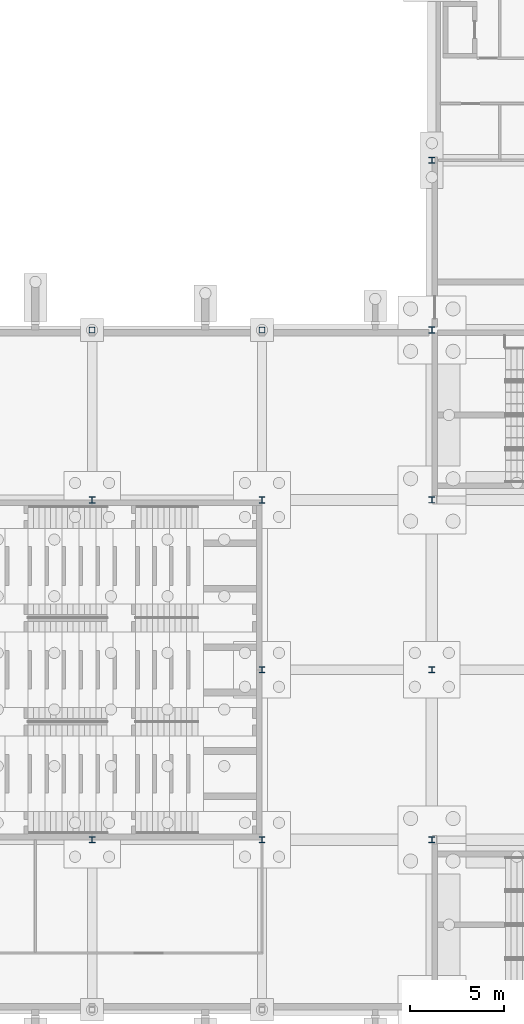
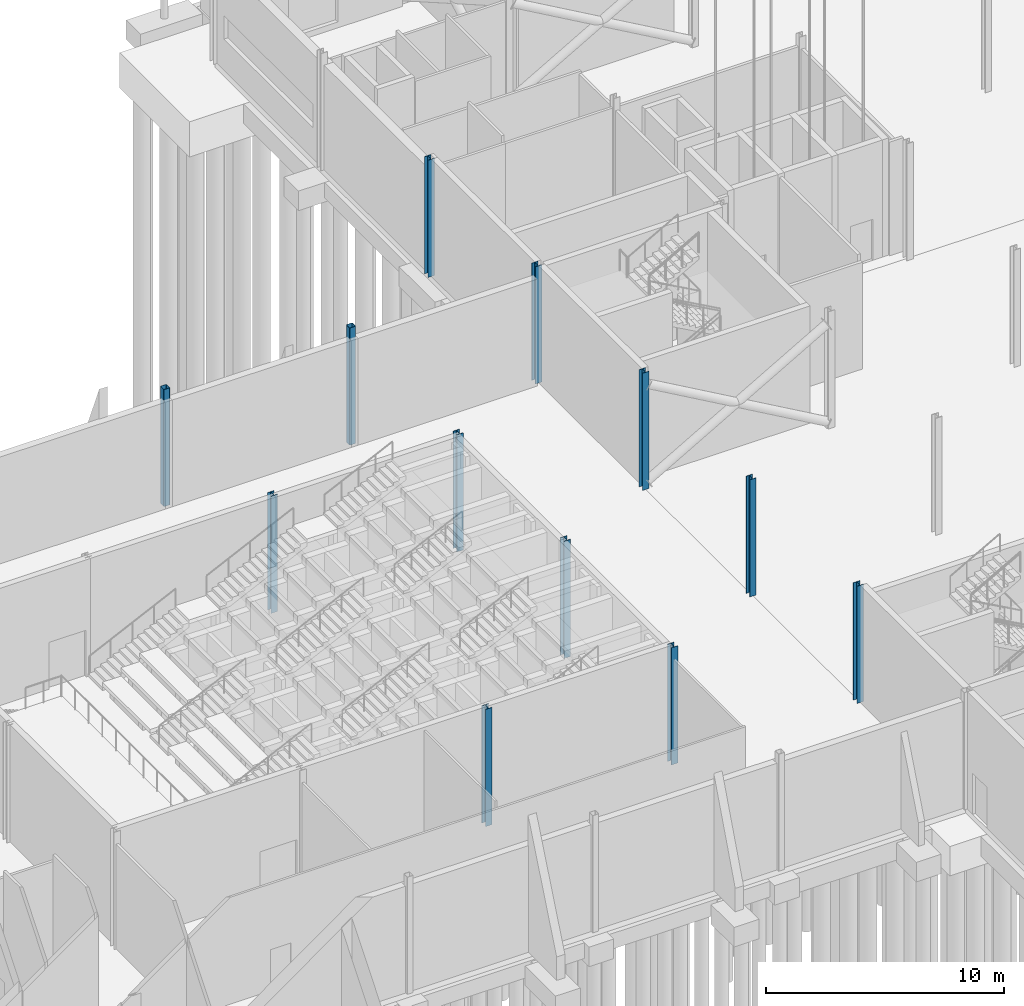
# One storey, part 25 of 139: 12 columns.
"""IFC4 building model written with IfcOpenShell, lengths in metres."""

from ifc_helpers import new_model, si_unit, direction, frame, origin, origin_2d, place, context, subcontext, project, spatial, hollow_rectangle, i_section, extrude, material, material_profile, profile_set, type_object, element, save


model = new_model("IFC4")

# Units and contexts
model_context = context("Model", 3, precision=1e-05, world=origin(), true_north=direction((0.0, 1.0)))
body_context = subcontext(model_context, "Body", "Model", "MODEL_VIEW")
ifc_project = project(units=[si_unit("LENGTHUNIT", "METRE"), si_unit("AREAUNIT", "SQUARE_METRE"), si_unit("VOLUMEUNIT", "CUBIC_METRE"), si_unit("PLANEANGLEUNIT", "RADIAN"), si_unit("MASSUNIT", "GRAM", prefix="KILO")], contexts=[model_context])

# Site, building, storey
site_placement = place(None, origin())
site = spatial("IfcSite", under=ifc_project, at=site_placement, CompositionType="ELEMENT")
building_placement = place(site_placement, origin())
building = spatial("IfcBuilding", under=site, at=building_placement, Name="Shorebreak Coast Museum", CompositionType="ELEMENT")
storey_placement = place(building_placement, origin())
storey = spatial("IfcBuildingStorey", under=building, at=storey_placement, Name="L00", CompositionType="ELEMENT", Elevation=0.0)

# Columns
ifc_material_1 = material(Name="Steel Grade C450L0", Category="steel")
ifc_material_profile_1 = material_profile(ifc_material_1, hollow_rectangle(XDim=0.300048828125, YDim=0.300048828125, WallThickness=0.012451171875, InnerFilletRadius=0.018798828125, OuterFilletRadius=0.03125, at=origin_2d()), Name="300x300x12.5 SHS")
ifc_profile_set_1 = profile_set([ifc_material_profile_1], Name="Steel Grade C450L0")
column_type_1 = type_object("IfcColumnType", Name="Column 300x300x12.5 SHS", PredefinedType="COLUMN", material=ifc_profile_set_1)
for number, where, z_axis, x_axis, name in (
    (1, (36.0, 90.0, 0.0), (0.0, 0.0, 1.0), (1.0, 0.0, 0.0), "Column L00 5L"),
    (2, (45.0, 90.0, 0.0), (0.0, 0.0, 1.0), (1.0, 0.0, 0.0), "Column L00 6L"),
):
    element("IfcColumn", number, at=place(storey_placement, frame(where, z_axis=z_axis, x_axis=x_axis)), inside=storey, type_object=column_type_1, Name=name, PredefinedType="COLUMN", context=body_context, shape_type="SweptSolid", body=[
        extrude(hollow_rectangle(XDim=0.300048828125, YDim=0.300048828125, WallThickness=0.012451171875, InnerFilletRadius=0.018798828125, OuterFilletRadius=0.03125, at=origin_2d()), origin(), (0.0, 0.0, 1.0), 6.0),
    ])
ifc_material_2 = material(Name="Steel Grade 300", Category="steel")
ifc_material_profile_2 = material_profile(ifc_material_2, i_section(OverallWidth=0.30908203125, OverallDepth=0.320556640625, WebThickness=0.013916015625, FlangeThickness=0.021728515625, FilletRadius=0.0166015625, at=origin_2d()), Name="310UC137")
ifc_profile_set_2 = profile_set([ifc_material_profile_2], Name="Steel Grade 300")
column_type_2 = type_object("IfcColumnType", Name="Column 310UC137", PredefinedType="COLUMN", material=ifc_profile_set_2)
for number, where, z_axis, x_axis, name in (
    (3, (54.0, 63.0, 0.0), (0.0, 0.0, 1.0), (1.0, 0.0, 0.0), "Column L00 7H"),
    (4, (54.0, 72.0, 0.0), (0.0, 0.0, 1.0), (1.0, 0.0, 0.0), "Column L00 7J"),
    (5, (54.0, 81.0, 0.0), (0.0, 0.0, 1.0), (1.0, 0.0, 0.0), "Column L00 7K"),
    (6, (54.0, 99.0, 0.0), (0.0, 0.0, 1.0), (1.0, 0.0, 0.0), "Column L00 7M"),
):
    element("IfcColumn", number, at=place(storey_placement, frame(where, z_axis=z_axis, x_axis=x_axis)), inside=storey, type_object=column_type_2, Name=name, PredefinedType="COLUMN", context=body_context, shape_type="SweptSolid", body=[
        extrude(i_section(OverallWidth=0.30908203125, OverallDepth=0.320556640625, WebThickness=0.013916015625, FlangeThickness=0.021728515625, FilletRadius=0.0166015625, at=origin_2d()), origin(), (0.0, 0.0, 1.0), 6.0),
    ])
ifc_material_3 = material(Name="Steel Grade 300", Category="steel")
ifc_material_profile_3 = material_profile(ifc_material_3, i_section(OverallWidth=0.31103515625, OverallDepth=0.3271484375, WebThickness=0.015625, FlangeThickness=0.02490234375, FilletRadius=0.0166015625, at=origin_2d()), Name="310UC158")
ifc_profile_set_3 = profile_set([ifc_material_profile_3], Name="Steel Grade 300")
column_type_3 = type_object("IfcColumnType", Name="Column 310UC158", PredefinedType="COLUMN", material=ifc_profile_set_3)
for number, where, z_axis, x_axis, name in (
    (7, (36.0, 63.0, 0.0), (0.0, 0.0, 1.0), (1.0, 0.0, 0.0), "Column L00 5H"),
    (8, (45.0, 63.0, 0.0), (0.0, 0.0, 1.0), (1.0, 0.0, 0.0), "Column L00 6H"),
    (9, (45.0, 72.0, 0.0), (0.0, 0.0, 1.0), (1.0, 0.0, 0.0), "Column L00 6J"),
    (10, (36.0, 81.0, 0.0), (0.0, 0.0, 1.0), (1.0, 0.0, 0.0), "Column L00 5K"),
    (11, (45.0, 81.0, 0.0), (0.0, 0.0, 1.0), (1.0, 0.0, 0.0), "Column L00 6K"),
    (12, (54.0, 90.0, 0.0), (0.0, 0.0, 1.0), (1.0, 0.0, 0.0), "Column L00 7L"),
):
    element("IfcColumn", number, at=place(storey_placement, frame(where, z_axis=z_axis, x_axis=x_axis)), inside=storey, type_object=column_type_3, Name=name, PredefinedType="COLUMN", context=body_context, shape_type="SweptSolid", body=[
        extrude(i_section(OverallWidth=0.31103515625, OverallDepth=0.3271484375, WebThickness=0.015625, FlangeThickness=0.02490234375, FilletRadius=0.0166015625, at=origin_2d()), origin(), (0.0, 0.0, 1.0), 6.0),
    ])

save(model, "model.ifc")
